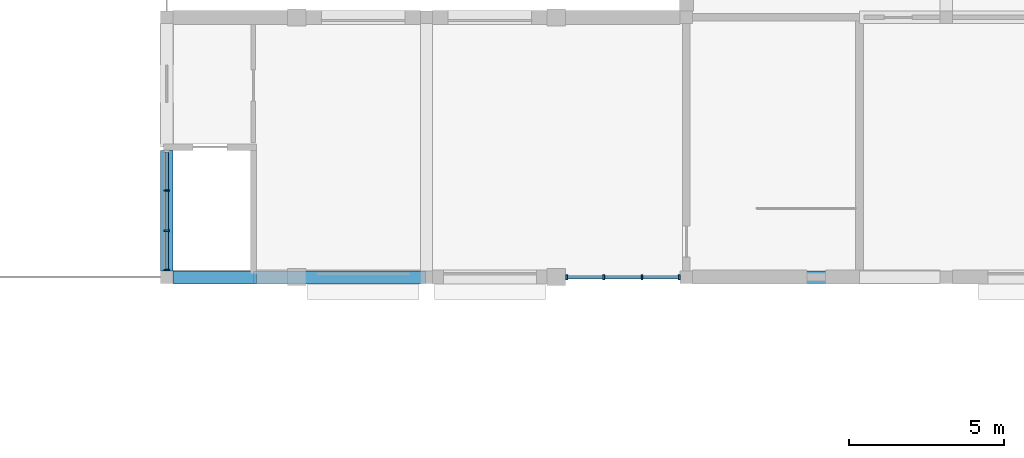
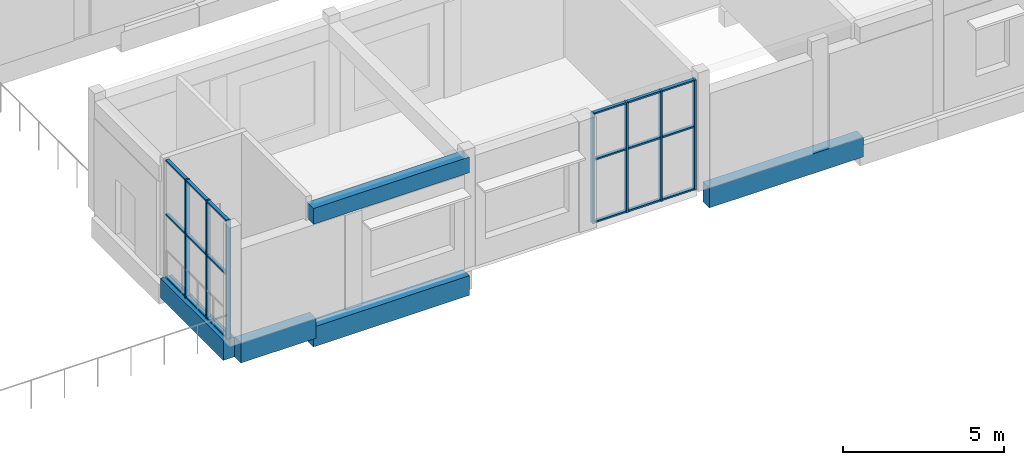
# One storey, part 11 of 30: 25 members, 5 beams, 2 elements without a shape of their own.
"""IFC4 building model written with IfcOpenShell, lengths in metres."""

from ifc_helpers import new_model, si_unit, direction, frame, origin, origin_2d, place, context, subcontext, project, spatial, rectangle, extrude, material, material_profile, profile_set, type_object, element, aggregate, save


model = new_model("IFC4")

# Units and contexts
model_context = context("Model", 3, precision=1e-05, world=origin(), true_north=direction((0.0, 1.0)))
body_context = subcontext(model_context, "Body", "Model", "MODEL_VIEW")
ifc_project = project(units=[si_unit("LENGTHUNIT", "METRE"), si_unit("AREAUNIT", "SQUARE_METRE"), si_unit("VOLUMEUNIT", "CUBIC_METRE"), si_unit("PLANEANGLEUNIT", "RADIAN"), si_unit("MASSUNIT", "GRAM", prefix="KILO")], contexts=[model_context])

# Site, building, storey
site_placement = place(None, origin())
site = spatial("IfcSite", under=ifc_project, at=site_placement, CompositionType="ELEMENT")
building_placement = place(site_placement, origin())
building = spatial("IfcBuilding", under=site, at=building_placement, Name="Fescue Hill Polytechnic", CompositionType="ELEMENT")
storey_placement = place(building_placement, frame((0.0, 0.0, 22.5)))
storey = spatial("IfcBuildingStorey", under=building, at=storey_placement, Name="L05", CompositionType="ELEMENT", Elevation=22.5)

# Beams
ifc_material_1 = material(Name="Concrete 35 MPa", Category="concrete")
ifc_material_profile_1 = material_profile(ifc_material_1, rectangle(XDim=0.39990234375, YDim=0.60009765625, at=origin_2d()), Name="RC 400x600")
ifc_profile_set_1 = profile_set([ifc_material_profile_1], Name="Concrete 35 MPa")
beam_type_1 = type_object("IfcBeamType", Name="Beam RC 400x600", PredefinedType="BEAM", material=ifc_profile_set_1)
beam_1_placement = place(storey_placement, frame((78.39990234375, 109.199951171875, 3.89990234375), z_axis=(1.0, 0.0, 0.0), x_axis=(0.0, 1.0, 0.0)))
element("IfcBeam", 1, at=beam_1_placement, inside=storey, type_object=beam_type_1, Name="BR-L05-0003", PredefinedType="BEAM", context=body_context, shape_type="SweptSolid", body=[
    extrude(rectangle(XDim=0.39990234375, YDim=0.60009765625, at=origin_2d()), origin(), (0.0, 0.0, 1.0), 5.590087890625),
])
ifc_material_profile_2 = material_profile(ifc_material_1, rectangle(XDim=0.39990234375, YDim=0.75, at=origin_2d()), Name="RC 400x750")
ifc_profile_set_2 = profile_set([ifc_material_profile_2], Name="Concrete 35 MPa")
beam_type_2 = type_object("IfcBeamType", Name="Beam RC 400x750", PredefinedType="BEAM", material=ifc_profile_set_2)
beam_2_placement = place(storey_placement, frame((78.39990234375, 109.199951171875, -0.675048828125), z_axis=(1.0, 0.0, 0.0), x_axis=(0.0, 1.0, 0.0)))
element("IfcBeam", 2, at=beam_2_placement, inside=storey, type_object=beam_type_2, Name="BM-L05-0079", PredefinedType="BEAM", context=body_context, shape_type="SweptSolid", body=[
    extrude(rectangle(XDim=0.39990234375, YDim=0.75, at=origin_2d()), origin(), (0.0, 0.0, 1.0), 5.590087890625),
])
beam_3_placement = place(storey_placement, frame((75.60009765625, 109.39990234375, -0.375), z_axis=(0.0, 1.0, 0.0), x_axis=(-1.0, 0.0, 0.0)))
element("IfcBeam", 3, at=beam_3_placement, inside=storey, type_object=beam_type_2, Name="BM-L05-0112", PredefinedType="BEAM", context=body_context, shape_type="SweptSolid", body=[
    extrude(rectangle(XDim=0.39990234375, YDim=0.75, at=origin_2d()), origin(), (0.0, 0.0, 1.0), 3.900146484375),
])
beam_4_placement = place(storey_placement, frame((75.800048828125, 109.199951171875, -0.375), z_axis=(1.0, 0.0, 0.0), x_axis=(0.0, 1.0, 0.0)))
element("IfcBeam", 4, at=beam_4_placement, inside=storey, type_object=beam_type_2, Name="BM-L05-0114", PredefinedType="BEAM", context=body_context, shape_type="SweptSolid", body=[
    extrude(rectangle(XDim=0.39990234375, YDim=0.75, at=origin_2d()), origin(), (0.0, 0.0, 1.0), 2.699951171875),
])
beam_5_placement = place(storey_placement, frame((92.60009765625, 109.199951171875, -0.375), z_axis=(1.0, 0.0, 0.0), x_axis=(0.0, 1.0, 0.0)))
element("IfcBeam", 5, at=beam_5_placement, inside=storey, type_object=beam_type_2, Name="BM-L05-0117", PredefinedType="BEAM", context=body_context, shape_type="SweptSolid", body=[
    extrude(rectangle(XDim=0.39990234375, YDim=0.75, at=origin_2d()), origin(), (0.0, 0.0, 1.0), 5.52490234375),
])

# Curtain wall, members
ifc_material_2 = material(Name="Glass", Category="glass")
curtain_wall_type = type_object("IfcCurtainWallType", Name="Curtain wall structural glazing", PredefinedType="NOTDEFINED", material=ifc_material_2)
curtain_wall_1_placement = place(storey_placement, origin())
curtain_wall_1 = element("IfcCurtainWall", 6, at=curtain_wall_1_placement, inside=storey, type_object=curtain_wall_type, Name="CW-L05-V4b-X2", PredefinedType="NOTDEFINED")
ifc_material_3 = material(Name="Powder-coated aluminium", Category="aluminium")
ifc_material_profile_3 = material_profile(ifc_material_3, rectangle(XDim=0.159912109375, YDim=0.06005859375, at=origin_2d()), Name="Mullion aluminium 60x160")
ifc_profile_set_3 = profile_set([ifc_material_profile_3], Name="Powder-coated aluminium")
member_type_1 = type_object("IfcMemberType", Name="Mullion aluminium 60x160", PredefinedType="MULLION", material=ifc_profile_set_3)
member_1_placement = place(storey_placement, frame((88.530029296875, 109.199951171875, 0.0), z_axis=(0.0, 0.0, 1.0), x_axis=(0.0, 1.0, 0.0)))
member_1 = element("IfcMember", 7, at=member_1_placement, type_object=member_type_1, Name="CW173 mullion 1", PredefinedType="MULLION", context=body_context, shape_type="SweptSolid", body=[
    extrude(rectangle(XDim=0.159912109375, YDim=0.06005859375, at=origin_2d()), origin(), (0.0, 0.0, 1.0), 4.179931640625),
])
member_2_placement = place(storey_placement, frame((89.7333984375, 109.199951171875, 0.0), z_axis=(0.0, 0.0, 1.0), x_axis=(0.0, 1.0, 0.0)))
member_2 = element("IfcMember", 8, at=member_2_placement, type_object=member_type_1, Name="CW173 mullion 2", PredefinedType="MULLION", context=body_context, shape_type="SweptSolid", body=[
    extrude(rectangle(XDim=0.159912109375, YDim=0.06005859375, at=origin_2d()), origin(), (0.0, 0.0, 1.0), 4.179931640625),
])
member_3_placement = place(storey_placement, frame((90.966552734375, 109.199951171875, 0.0), z_axis=(0.0, 0.0, 1.0), x_axis=(0.0, 1.0, 0.0)))
member_3 = element("IfcMember", 9, at=member_3_placement, type_object=member_type_1, Name="CW173 mullion 3", PredefinedType="MULLION", context=body_context, shape_type="SweptSolid", body=[
    extrude(rectangle(XDim=0.159912109375, YDim=0.06005859375, at=origin_2d()), origin(), (0.0, 0.0, 1.0), 4.179931640625),
])
member_4_placement = place(storey_placement, frame((92.169921875, 109.199951171875, 0.0), z_axis=(0.0, 0.0, 1.0), x_axis=(0.0, 1.0, 0.0)))
member_4 = element("IfcMember", 10, at=member_4_placement, type_object=member_type_1, Name="CW173 mullion 4", PredefinedType="MULLION", context=body_context, shape_type="SweptSolid", body=[
    extrude(rectangle(XDim=0.159912109375, YDim=0.06005859375, at=origin_2d()), origin(), (0.0, 0.0, 1.0), 4.179931640625),
])

curtain_wall_2_placement = place(storey_placement, origin())
curtain_wall_2 = element("IfcCurtainWall", 11, at=curtain_wall_2_placement, inside=storey, type_object=curtain_wall_type, Name="CW-L05-V4b-X3", PredefinedType="NOTDEFINED")
member_5_placement = place(storey_placement, frame((75.60009765625, 111.999267578125, 0.0), z_axis=(0.0, 0.0, 1.0), x_axis=(1.0, 0.0, 0.0)))
member_5 = element("IfcMember", 12, at=member_5_placement, type_object=member_type_1, Name="CW179 mullion 2", PredefinedType="MULLION", context=body_context, shape_type="SweptSolid", body=[
    extrude(rectangle(XDim=0.159912109375, YDim=0.06005859375, at=origin_2d()), origin(), (0.0, 0.0, 1.0), 4.47998046875),
])
member_6_placement = place(storey_placement, frame((75.60009765625, 110.69970703125, 0.0), z_axis=(0.0, 0.0, 1.0), x_axis=(1.0, 0.0, 0.0)))
member_6 = element("IfcMember", 13, at=member_6_placement, type_object=member_type_1, Name="CW179 mullion 3", PredefinedType="MULLION", context=body_context, shape_type="SweptSolid", body=[
    extrude(rectangle(XDim=0.159912109375, YDim=0.06005859375, at=origin_2d()), origin(), (0.0, 0.0, 1.0), 4.47998046875),
])
member_7_placement = place(storey_placement, frame((75.60009765625, 109.429931640625, 0.0), z_axis=(0.0, 0.0, 1.0), x_axis=(1.0, 0.0, 0.0)))
member_7 = element("IfcMember", 14, at=member_7_placement, type_object=member_type_1, Name="CW179 mullion 4", PredefinedType="MULLION", context=body_context, shape_type="SweptSolid", body=[
    extrude(rectangle(XDim=0.159912109375, YDim=0.06005859375, at=origin_2d()), origin(), (0.0, 0.0, 1.0), 4.47998046875),
])

# Member
ifc_material_profile_4 = material_profile(ifc_material_3, rectangle(XDim=0.1201171875, YDim=0.06005859375, at=origin_2d()), Name="Transom aluminium 60x120")
ifc_profile_set_4 = profile_set([ifc_material_profile_4], Name="Powder-coated aluminium")
member_type_2 = type_object("IfcMemberType", Name="Transom aluminium 60x120", PredefinedType="USERDEFINED", material=ifc_profile_set_4)
member_8_placement = place(storey_placement, frame((88.56005859375, 109.199951171875, 0.030029296875), z_axis=(1.0, 0.0, 0.0), x_axis=(0.0, 1.0, 0.0)))
member_8 = element("IfcMember", 15, at=member_8_placement, type_object=member_type_2, Name="CW173 transom 1.1", ObjectType="TRANSOM", PredefinedType="USERDEFINED", context=body_context, shape_type="SweptSolid", body=[
    extrude(rectangle(XDim=0.1201171875, YDim=0.06005859375, at=origin_2d()), origin(), (0.0, 0.0, 1.0), 1.143310546875),
])

member_9_placement = place(storey_placement, frame((88.56005859375, 109.199951171875, 2.39990234375), z_axis=(1.0, 0.0, 0.0), x_axis=(0.0, 1.0, 0.0)))
member_9 = element("IfcMember", 16, at=member_9_placement, type_object=member_type_2, Name="CW173 transom 1.2", ObjectType="TRANSOM", PredefinedType="USERDEFINED", context=body_context, shape_type="SweptSolid", body=[
    extrude(rectangle(XDim=0.1201171875, YDim=0.06005859375, at=origin_2d()), origin(), (0.0, 0.0, 1.0), 1.143310546875),
])

member_10_placement = place(storey_placement, frame((88.56005859375, 109.199951171875, 4.14990234375), z_axis=(1.0, 0.0, 0.0), x_axis=(0.0, 1.0, 0.0)))
member_10 = element("IfcMember", 17, at=member_10_placement, type_object=member_type_2, Name="CW173 transom 1.3", ObjectType="TRANSOM", PredefinedType="USERDEFINED", context=body_context, shape_type="SweptSolid", body=[
    extrude(rectangle(XDim=0.1201171875, YDim=0.06005859375, at=origin_2d()), origin(), (0.0, 0.0, 1.0), 1.143310546875),
])

member_11_placement = place(storey_placement, frame((89.763427734375, 109.199951171875, 0.030029296875), z_axis=(1.0, 0.0, 0.0), x_axis=(0.0, 1.0, 0.0)))
member_11 = element("IfcMember", 18, at=member_11_placement, type_object=member_type_2, Name="CW173 transom 2.1", ObjectType="TRANSOM", PredefinedType="USERDEFINED", context=body_context, shape_type="SweptSolid", body=[
    extrude(rectangle(XDim=0.1201171875, YDim=0.06005859375, at=origin_2d()), origin(), (0.0, 0.0, 1.0), 1.17333984375),
])

member_12_placement = place(storey_placement, frame((89.763427734375, 109.199951171875, 2.39990234375), z_axis=(1.0, 0.0, 0.0), x_axis=(0.0, 1.0, 0.0)))
member_12 = element("IfcMember", 19, at=member_12_placement, type_object=member_type_2, Name="CW173 transom 2.2", ObjectType="TRANSOM", PredefinedType="USERDEFINED", context=body_context, shape_type="SweptSolid", body=[
    extrude(rectangle(XDim=0.1201171875, YDim=0.06005859375, at=origin_2d()), origin(), (0.0, 0.0, 1.0), 1.17333984375),
])

member_13_placement = place(storey_placement, frame((89.763427734375, 109.199951171875, 4.14990234375), z_axis=(1.0, 0.0, 0.0), x_axis=(0.0, 1.0, 0.0)))
member_13 = element("IfcMember", 20, at=member_13_placement, type_object=member_type_2, Name="CW173 transom 2.3", ObjectType="TRANSOM", PredefinedType="USERDEFINED", context=body_context, shape_type="SweptSolid", body=[
    extrude(rectangle(XDim=0.1201171875, YDim=0.06005859375, at=origin_2d()), origin(), (0.0, 0.0, 1.0), 1.17333984375),
])

member_14_placement = place(storey_placement, frame((90.99658203125, 109.199951171875, 0.030029296875), z_axis=(1.0, 0.0, 0.0), x_axis=(0.0, 1.0, 0.0)))
member_14 = element("IfcMember", 21, at=member_14_placement, type_object=member_type_2, Name="CW173 transom 3.1", ObjectType="TRANSOM", PredefinedType="USERDEFINED", context=body_context, shape_type="SweptSolid", body=[
    extrude(rectangle(XDim=0.1201171875, YDim=0.06005859375, at=origin_2d()), origin(), (0.0, 0.0, 1.0), 1.143310546875),
])

member_15_placement = place(storey_placement, frame((90.99658203125, 109.199951171875, 2.39990234375), z_axis=(1.0, 0.0, 0.0), x_axis=(0.0, 1.0, 0.0)))
member_15 = element("IfcMember", 22, at=member_15_placement, type_object=member_type_2, Name="CW173 transom 3.2", ObjectType="TRANSOM", PredefinedType="USERDEFINED", context=body_context, shape_type="SweptSolid", body=[
    extrude(rectangle(XDim=0.1201171875, YDim=0.06005859375, at=origin_2d()), origin(), (0.0, 0.0, 1.0), 1.143310546875),
])

member_16_placement = place(storey_placement, frame((90.99658203125, 109.199951171875, 4.14990234375), z_axis=(1.0, 0.0, 0.0), x_axis=(0.0, 1.0, 0.0)))
member_16 = element("IfcMember", 23, at=member_16_placement, type_object=member_type_2, Name="CW173 transom 3.3", ObjectType="TRANSOM", PredefinedType="USERDEFINED", context=body_context, shape_type="SweptSolid", body=[
    extrude(rectangle(XDim=0.1201171875, YDim=0.06005859375, at=origin_2d()), origin(), (0.0, 0.0, 1.0), 1.143310546875),
])

aggregate(curtain_wall_1, [member_1, member_2, member_3, member_4, member_8, member_9, member_10, member_11, member_12, member_13, member_14, member_15, member_16])

member_17_placement = place(storey_placement, frame((75.60009765625, 113.239013671875, 0.030029296875), z_axis=(0.0, -1.0, 0.0), x_axis=(1.0, 0.0, 0.0)))
member_17 = element("IfcMember", 24, at=member_17_placement, type_object=member_type_2, Name="CW179 transom 1.1", ObjectType="TRANSOM", PredefinedType="USERDEFINED", context=body_context, shape_type="SweptSolid", body=[
    extrude(rectangle(XDim=0.1201171875, YDim=0.06005859375, at=origin_2d()), origin(), (0.0, 0.0, 1.0), 1.209716796875),
])

member_18_placement = place(storey_placement, frame((75.60009765625, 113.239013671875, 2.39990234375), z_axis=(0.0, -1.0, 0.0), x_axis=(1.0, 0.0, 0.0)))
member_18 = element("IfcMember", 25, at=member_18_placement, type_object=member_type_2, Name="CW179 transom 1.2", ObjectType="TRANSOM", PredefinedType="USERDEFINED", context=body_context, shape_type="SweptSolid", body=[
    extrude(rectangle(XDim=0.1201171875, YDim=0.06005859375, at=origin_2d()), origin(), (0.0, 0.0, 1.0), 1.209716796875),
])

member_19_placement = place(storey_placement, frame((75.60009765625, 113.239013671875, 4.449951171875), z_axis=(0.0, -1.0, 0.0), x_axis=(1.0, 0.0, 0.0)))
member_19 = element("IfcMember", 26, at=member_19_placement, type_object=member_type_2, Name="CW179 transom 1.3", ObjectType="TRANSOM", PredefinedType="USERDEFINED", context=body_context, shape_type="SweptSolid", body=[
    extrude(rectangle(XDim=0.1201171875, YDim=0.06005859375, at=origin_2d()), origin(), (0.0, 0.0, 1.0), 1.209716796875),
])

member_20_placement = place(storey_placement, frame((75.60009765625, 111.96923828125, 0.030029296875), z_axis=(0.0, -1.0, 0.0), x_axis=(1.0, 0.0, 0.0)))
member_20 = element("IfcMember", 27, at=member_20_placement, type_object=member_type_2, Name="CW179 transom 2.1", ObjectType="TRANSOM", PredefinedType="USERDEFINED", context=body_context, shape_type="SweptSolid", body=[
    extrude(rectangle(XDim=0.1201171875, YDim=0.06005859375, at=origin_2d()), origin(), (0.0, 0.0, 1.0), 1.239501953125),
])

member_21_placement = place(storey_placement, frame((75.60009765625, 111.96923828125, 2.39990234375), z_axis=(0.0, -1.0, 0.0), x_axis=(1.0, 0.0, 0.0)))
member_21 = element("IfcMember", 28, at=member_21_placement, type_object=member_type_2, Name="CW179 transom 2.2", ObjectType="TRANSOM", PredefinedType="USERDEFINED", context=body_context, shape_type="SweptSolid", body=[
    extrude(rectangle(XDim=0.1201171875, YDim=0.06005859375, at=origin_2d()), origin(), (0.0, 0.0, 1.0), 1.239501953125),
])

member_22_placement = place(storey_placement, frame((75.60009765625, 111.96923828125, 4.449951171875), z_axis=(0.0, -1.0, 0.0), x_axis=(1.0, 0.0, 0.0)))
member_22 = element("IfcMember", 29, at=member_22_placement, type_object=member_type_2, Name="CW179 transom 2.3", ObjectType="TRANSOM", PredefinedType="USERDEFINED", context=body_context, shape_type="SweptSolid", body=[
    extrude(rectangle(XDim=0.1201171875, YDim=0.06005859375, at=origin_2d()), origin(), (0.0, 0.0, 1.0), 1.239501953125),
])

member_23_placement = place(storey_placement, frame((75.60009765625, 110.669677734375, 0.030029296875), z_axis=(0.0, -1.0, 0.0), x_axis=(1.0, 0.0, 0.0)))
member_23 = element("IfcMember", 30, at=member_23_placement, type_object=member_type_2, Name="CW179 transom 3.1", ObjectType="TRANSOM", PredefinedType="USERDEFINED", context=body_context, shape_type="SweptSolid", body=[
    extrude(rectangle(XDim=0.1201171875, YDim=0.06005859375, at=origin_2d()), origin(), (0.0, 0.0, 1.0), 1.209716796875),
])

member_24_placement = place(storey_placement, frame((75.60009765625, 110.669677734375, 2.39990234375), z_axis=(0.0, -1.0, 0.0), x_axis=(1.0, 0.0, 0.0)))
member_24 = element("IfcMember", 31, at=member_24_placement, type_object=member_type_2, Name="CW179 transom 3.2", ObjectType="TRANSOM", PredefinedType="USERDEFINED", context=body_context, shape_type="SweptSolid", body=[
    extrude(rectangle(XDim=0.1201171875, YDim=0.06005859375, at=origin_2d()), origin(), (0.0, 0.0, 1.0), 1.209716796875),
])

member_25_placement = place(storey_placement, frame((75.60009765625, 110.669677734375, 4.449951171875), z_axis=(0.0, -1.0, 0.0), x_axis=(1.0, 0.0, 0.0)))
member_25 = element("IfcMember", 32, at=member_25_placement, type_object=member_type_2, Name="CW179 transom 3.3", ObjectType="TRANSOM", PredefinedType="USERDEFINED", context=body_context, shape_type="SweptSolid", body=[
    extrude(rectangle(XDim=0.1201171875, YDim=0.06005859375, at=origin_2d()), origin(), (0.0, 0.0, 1.0), 1.209716796875),
])

aggregate(curtain_wall_2, [member_5, member_6, member_7, member_17, member_18, member_19, member_20, member_21, member_22, member_23, member_24, member_25])

save(model, "model.ifc")
